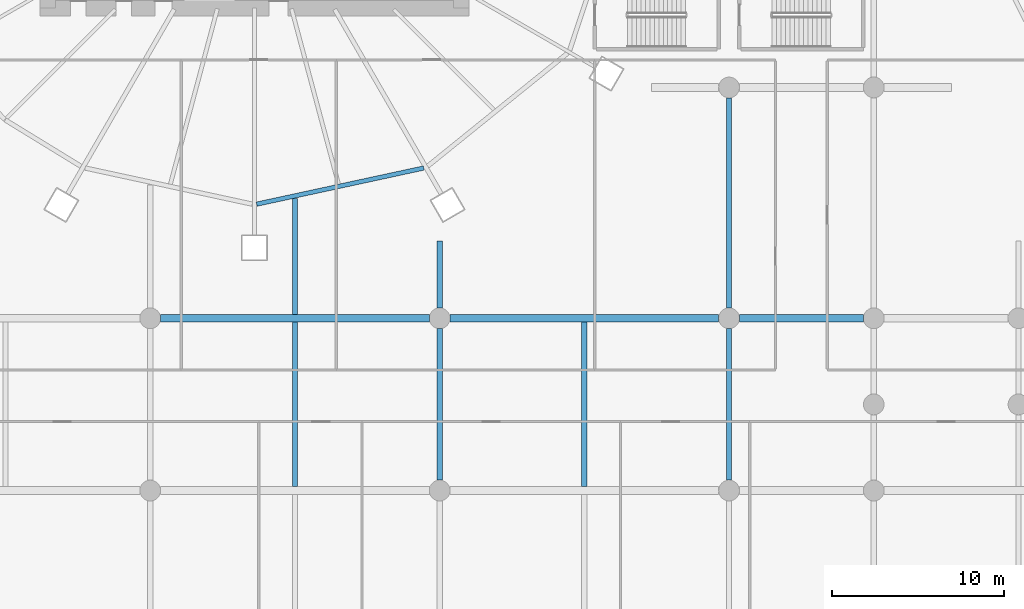
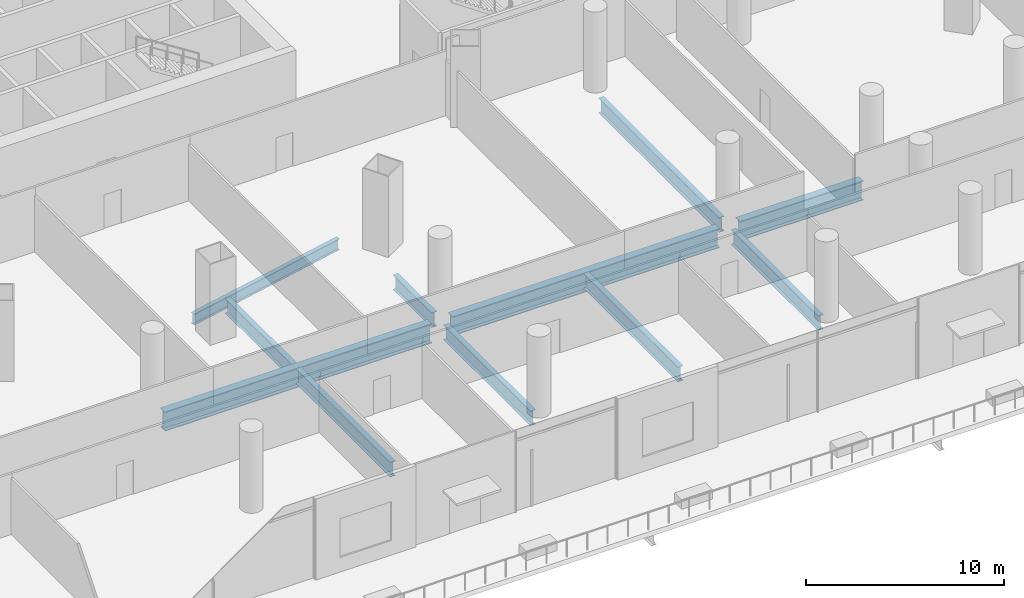
# One storey, part 8 of 51: 11 beams.
"""IFC4 building model written with IfcOpenShell, lengths in metres."""

from ifc_helpers import new_model, si_unit, direction, frame, origin, origin_2d, place, context, subcontext, project, spatial, i_section, extrude, material, material_profile, profile_set, type_object, element, save


model = new_model("IFC4")

# Units and contexts
model_context = context("Model", 3, precision=1e-05, world=origin(), true_north=direction((0.0, 1.0)))
body_context = subcontext(model_context, "Body", "Model", "MODEL_VIEW")
ifc_project = project(units=[si_unit("LENGTHUNIT", "METRE"), si_unit("AREAUNIT", "SQUARE_METRE"), si_unit("VOLUMEUNIT", "CUBIC_METRE"), si_unit("PLANEANGLEUNIT", "RADIAN"), si_unit("MASSUNIT", "GRAM", prefix="KILO")], contexts=[model_context])

# Site, building, storey
site_placement = place(None, origin())
site = spatial("IfcSite", under=ifc_project, at=site_placement, CompositionType="ELEMENT")
building_placement = place(site_placement, origin())
building = spatial("IfcBuilding", under=site, at=building_placement, Name="Rimbun Link Towers", CompositionType="ELEMENT")
storey_placement = place(building_placement, frame((0.0, 0.0, 7.0)))
storey = spatial("IfcBuildingStorey", under=building, at=storey_placement, Name="L01", CompositionType="ELEMENT", Elevation=7.0)

# Beams
ifc_material_1 = material(Name="Steel S355J2", Category="steel")
ifc_material_profile_1 = material_profile(ifc_material_1, i_section(OverallWidth=0.449951171875, OverallDepth=1.199951171875, WebThickness=0.030029296875, FlangeThickness=0.044921875, at=origin_2d()), Name="PG 1200x450x30/45")
ifc_profile_set_1 = profile_set([ifc_material_profile_1], Name="Steel S355J2")
beam_type_1 = type_object("IfcBeamType", Name="PG 1200x450x30/45", PredefinedType="BEAM", material=ifc_profile_set_1)
for number, where, z_axis, x_axis, name in (
    (1, (-37.199951171875, -26.0, -0.89990234375), (1.0, 0.0, 0.0), (0.0, 1.0, 0.0), "Grid beam L01 -26.0"),
    (2, (-20.39990234375, -26.0, -0.89990234375), (1.0, 0.0, 0.0), (0.0, 1.0, 0.0), "Grid beam L01 -26.0"),
):
    element("IfcBeam", number, at=place(storey_placement, frame(where, z_axis=z_axis, x_axis=x_axis)), inside=storey, type_object=beam_type_1, Name=name, PredefinedType="BEAM", context=body_context, shape_type="SweptSolid", body=[
        extrude(i_section(OverallWidth=0.449951171875, OverallDepth=1.199951171875, WebThickness=0.030029296875, FlangeThickness=0.044921875, at=origin_2d()), origin(), (0.0, 0.0, 1.0), 15.599853515625),
    ])
beam_1_placement = place(storey_placement, frame((-3.60009765625, -26.0, -0.89990234375), z_axis=(1.0, 0.0, 0.0), x_axis=(0.0, 1.0, 0.0)))
element("IfcBeam", 3, at=beam_1_placement, inside=storey, type_object=beam_type_1, Name="Grid beam L01 -26.0", PredefinedType="BEAM", context=body_context, shape_type="SweptSolid", body=[
    extrude(i_section(OverallWidth=0.449951171875, OverallDepth=1.199951171875, WebThickness=0.030029296875, FlangeThickness=0.044921875, at=origin_2d()), origin(), (0.0, 0.0, 1.0), 7.2001953125),
])
ifc_material_2 = material(Name="Steel S355J2", Category="steel")
ifc_material_profile_2 = material_profile(ifc_material_2, i_section(OverallWidth=0.253662109375, OverallDepth=0.68359375, WebThickness=0.012451171875, FlangeThickness=0.01904296875, at=origin_2d()), Name="UB 686x254x140")
ifc_profile_set_2 = profile_set([ifc_material_profile_2], Name="Steel S355J2")
beam_type_2 = type_object("IfcBeamType", Name="UB 686x254x140", PredefinedType="BEAM", material=ifc_profile_set_2)
beam_2_placement = place(storey_placement, frame((-31.622314453125, -19.375244140625, -0.641845703125), z_axis=(0.977390124833, 0.211443949734, 0.0), x_axis=(-0.211443949734, 0.977390124833, 0.0)))
element("IfcBeam", 4, at=beam_2_placement, inside=storey, type_object=beam_type_2, Name="Edge beam T1 L01 18-20", PredefinedType="BEAM", context=body_context, shape_type="SweptSolid", body=[
    extrude(i_section(OverallWidth=0.253662109375, OverallDepth=0.68359375, WebThickness=0.012451171875, FlangeThickness=0.01904296875, at=origin_2d()), origin(), (0.0, 0.0, 1.0), 9.924072265625),
])
ifc_material_3 = material(Name="Steel S355J2", Category="steel")
ifc_material_profile_3 = material_profile(ifc_material_3, i_section(OverallWidth=0.305419921875, OverallDepth=0.91845703125, WebThickness=0.017333984375, FlangeThickness=0.02783203125, at=origin_2d()), Name="UB 914x305x253")
ifc_profile_set_3 = profile_set([ifc_material_profile_3], Name="Steel S355J2")
beam_type_3 = type_object("IfcBeamType", Name="UB 914x305x253", PredefinedType="BEAM", material=ifc_profile_set_3)
beam_3_placement = place(storey_placement, frame((-29.39990234375, -35.77490234375, -0.75927734375), z_axis=(0.0, 1.0, 0.0), x_axis=(-1.0, 0.0, 0.0)))
element("IfcBeam", 5, at=beam_3_placement, inside=storey, type_object=beam_type_3, Name="Grid beam L01 -29.4", PredefinedType="BEAM", context=body_context, shape_type="SweptSolid", body=[
    extrude(i_section(OverallWidth=0.305419921875, OverallDepth=0.91845703125, WebThickness=0.017333984375, FlangeThickness=0.02783203125, at=origin_2d()), origin(), (0.0, 0.0, 1.0), 9.5498046875),
])
beam_4_placement = place(storey_placement, frame((-29.39990234375, -25.77490234375, -0.75927734375), z_axis=(0.0, 1.0, 0.0), x_axis=(-1.0, 0.0, 0.0)))
element("IfcBeam", 6, at=beam_4_placement, inside=storey, type_object=beam_type_3, Name="Grid beam L01 -29.4", PredefinedType="BEAM", context=body_context, shape_type="SweptSolid", body=[
    extrude(i_section(OverallWidth=0.305419921875, OverallDepth=0.91845703125, WebThickness=0.017333984375, FlangeThickness=0.02783203125, at=origin_2d()), origin(), (0.0, 0.0, 1.0), 6.716552734375),
])
beam_5_placement = place(storey_placement, frame((-21.0, -35.39990234375, -0.75927734375), z_axis=(0.0, 1.0, 0.0), x_axis=(-1.0, 0.0, 0.0)))
element("IfcBeam", 7, at=beam_5_placement, inside=storey, type_object=beam_type_3, Name="Grid beam L01 -21.0", PredefinedType="BEAM", context=body_context, shape_type="SweptSolid", body=[
    extrude(i_section(OverallWidth=0.305419921875, OverallDepth=0.91845703125, WebThickness=0.017333984375, FlangeThickness=0.02783203125, at=origin_2d()), origin(), (0.0, 0.0, 1.0), 8.7998046875),
])
beam_6_placement = place(storey_placement, frame((-21.0, -25.39990234375, -0.75927734375), z_axis=(0.0, 1.0, 0.0), x_axis=(-1.0, 0.0, 0.0)))
element("IfcBeam", 8, at=beam_6_placement, inside=storey, type_object=beam_type_3, Name="Grid beam L01 -21.0", PredefinedType="BEAM", context=body_context, shape_type="SweptSolid", body=[
    extrude(i_section(OverallWidth=0.305419921875, OverallDepth=0.91845703125, WebThickness=0.017333984375, FlangeThickness=0.02783203125, at=origin_2d()), origin(), (0.0, 0.0, 1.0), 3.89990234375),
])
beam_7_placement = place(storey_placement, frame((-12.60009765625, -35.77490234375, -0.75927734375), z_axis=(0.0, 1.0, 0.0), x_axis=(-1.0, 0.0, 0.0)))
element("IfcBeam", 9, at=beam_7_placement, inside=storey, type_object=beam_type_3, Name="Grid beam L01 -12.6", PredefinedType="BEAM", context=body_context, shape_type="SweptSolid", body=[
    extrude(i_section(OverallWidth=0.305419921875, OverallDepth=0.91845703125, WebThickness=0.017333984375, FlangeThickness=0.02783203125, at=origin_2d()), origin(), (0.0, 0.0, 1.0), 9.5498046875),
])
beam_8_placement = place(storey_placement, frame((-4.199951171875, -35.39990234375, -0.75927734375), z_axis=(0.0, 1.0, 0.0), x_axis=(-1.0, 0.0, 0.0)))
element("IfcBeam", 10, at=beam_8_placement, inside=storey, type_object=beam_type_3, Name="Grid beam L01 -4.2", PredefinedType="BEAM", context=body_context, shape_type="SweptSolid", body=[
    extrude(i_section(OverallWidth=0.305419921875, OverallDepth=0.91845703125, WebThickness=0.017333984375, FlangeThickness=0.02783203125, at=origin_2d()), origin(), (0.0, 0.0, 1.0), 8.7998046875),
])
beam_9_placement = place(storey_placement, frame((-4.199951171875, -25.39990234375, -0.75927734375), z_axis=(0.0, 1.0, 0.0), x_axis=(-1.0, 0.0, 0.0)))
element("IfcBeam", 11, at=beam_9_placement, inside=storey, type_object=beam_type_3, Name="Grid beam L01 -4.2", PredefinedType="BEAM", context=body_context, shape_type="SweptSolid", body=[
    extrude(i_section(OverallWidth=0.305419921875, OverallDepth=0.91845703125, WebThickness=0.017333984375, FlangeThickness=0.02783203125, at=origin_2d()), origin(), (0.0, 0.0, 1.0), 12.199951171875),
])

save(model, "model.ifc")
